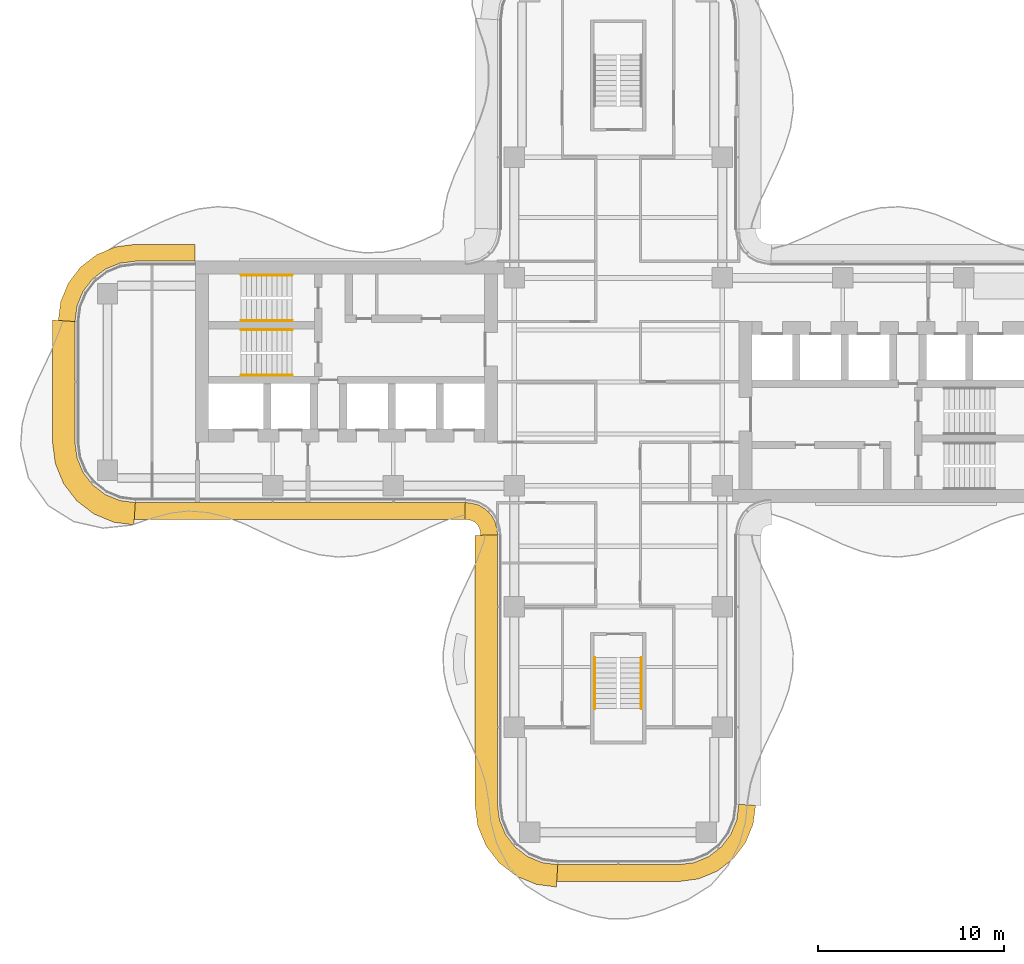
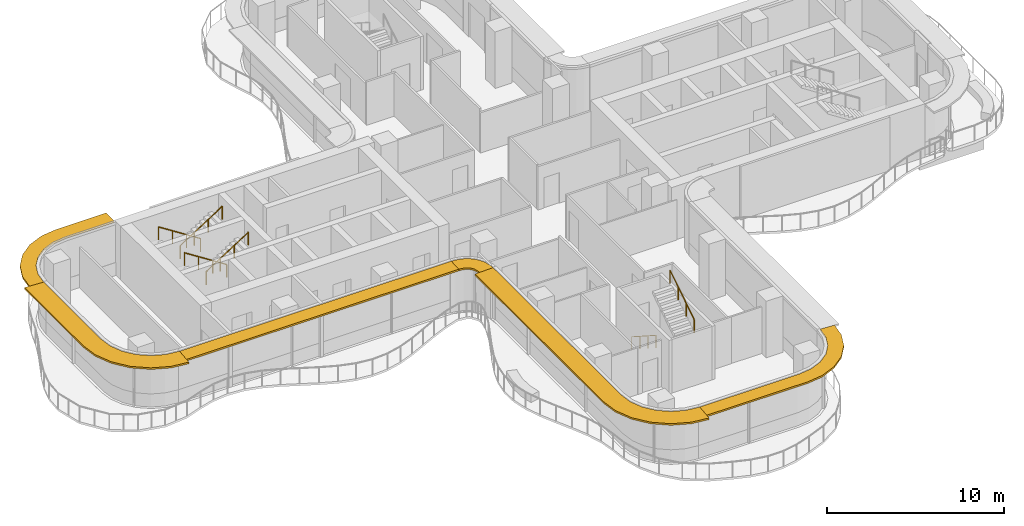
# One storey, part 16 of 17: 6 railings, 6 shading devices.
"""IFC4 building model written with IfcOpenShell, lengths in metres."""

from ifc_helpers import new_model, si_unit, direction, frame, origin, origin_2d, place, context, subcontext, project, spatial, polyline, circle, outline, extrude, source, transform, mapped, material, layer, layer_set, type_object, element, save


model = new_model("IFC4")

# Units and contexts
model_context = context("Model", 3, precision=1e-05, world=origin(), true_north=direction((0.0, 1.0)))
body_context = subcontext(model_context, "Body", "Model", "MODEL_VIEW")
ifc_project = project(units=[si_unit("LENGTHUNIT", "METRE"), si_unit("AREAUNIT", "SQUARE_METRE"), si_unit("VOLUMEUNIT", "CUBIC_METRE"), si_unit("PLANEANGLEUNIT", "RADIAN"), si_unit("MASSUNIT", "GRAM", prefix="KILO")], contexts=[model_context])

# Site, building, storey
site_placement = place(None, origin())
site = spatial("IfcSite", under=ifc_project, at=site_placement, CompositionType="ELEMENT")
building_placement = place(site_placement, origin())
building = spatial("IfcBuilding", under=site, at=building_placement, Name="Trellis Farm Tower", CompositionType="ELEMENT")
storey_placement = place(building_placement, frame((0.0, 0.0, 220.699951171875)))
storey = spatial("IfcBuildingStorey", under=building, at=storey_placement, Name="L48", CompositionType="ELEMENT", Elevation=220.699951171875)

# Railings
ifc_material_1 = material(Name="Stainless steel", Category="steel")
railing_type = type_object("IfcRailingType", Name="STAIR HANDRAIL 900", PredefinedType="HANDRAIL", material=ifc_material_1)
shared_shape_1 = source(origin(), body_context, "Body", "SweptSolid", [
    extrude(circle(Radius=0.02392578125, at=origin_2d()), frame((0.0, 0.0, 0.8759765625), z_axis=(0.0, 0.840503830235, 0.541805602924), x_axis=(-1.0, 0.0, 0.0)), (0.0, 0.0, 1.0), 3.271728515625),
    extrude(circle(Radius=0.02099609375, at=origin_2d()), origin(), (0.0, 0.0, 1.0), 0.851806640625),
    extrude(circle(Radius=0.02099609375, at=origin_2d()), frame((0.0, 0.916748046875, 0.5908203125)), (0.0, 0.0, 1.0), 0.851806640625),
    extrude(circle(Radius=0.02099609375, at=origin_2d()), frame((0.0, 1.833251953125, 1.181884765625)), (0.0, 0.0, 1.0), 0.851806640625),
    extrude(circle(Radius=0.02099609375, at=origin_2d()), frame((0.0, 2.75, 1.772705078125)), (0.0, 0.0, 1.0), 0.851806640625),
])
railing_1_placement = place(storey_placement, frame((1.25, -17.60009765625, 2.12744140625)))
element("IfcRailing", 1, at=railing_1_placement, inside=storey, type_object=railing_type, Name="Stair handrail", PredefinedType="HANDRAIL", context=body_context, shape_type="MappedRepresentation", body=[
    mapped(shared_shape_1, transform((0.0, 0.0, 0.0))),
])
shared_shape_2 = source(origin(), body_context, "Body", "SweptSolid", [
    extrude(circle(Radius=0.02392578125, at=origin_2d()), frame((0.0, 0.0, 0.8759765625), z_axis=(0.0, -0.840503830235, 0.541805602924), x_axis=(1.0, 0.0, 0.0)), (0.0, 0.0, 1.0), 3.271728515625),
    extrude(circle(Radius=0.02099609375, at=origin_2d()), origin(), (0.0, 0.0, 1.0), 0.851806640625),
    extrude(circle(Radius=0.02099609375, at=origin_2d()), frame((0.0, -0.916748046875, 0.5908203125)), (0.0, 0.0, 1.0), 0.851806640625),
    extrude(circle(Radius=0.02099609375, at=origin_2d()), frame((0.0, -1.833251953125, 1.181884765625)), (0.0, 0.0, 1.0), 0.851806640625),
    extrude(circle(Radius=0.02099609375, at=origin_2d()), frame((0.0, -2.75, 1.772705078125)), (0.0, 0.0, 1.0), 0.851806640625),
])
railing_2_placement = place(storey_placement, frame((-1.25, -14.85009765625, 0.17724609375)))
element("IfcRailing", 2, at=railing_2_placement, inside=storey, type_object=railing_type, Name="Stair handrail", PredefinedType="HANDRAIL", context=body_context, shape_type="MappedRepresentation", body=[
    mapped(shared_shape_2, transform((0.0, 0.0, 0.0))),
])
shared_shape_3 = source(origin(), body_context, "Body", "SweptSolid", [
    extrude(circle(Radius=0.02392578125, at=origin_2d()), frame((0.0, 0.0, 0.8759765625), z_axis=(0.840503830235, 0.0, 0.541805602924), x_axis=(0.0, 1.0, 0.0)), (0.0, 0.0, 1.0), 3.271728515625),
    extrude(circle(Radius=0.02099609375, at=origin_2d()), origin(), (0.0, 0.0, 1.0), 0.851806640625),
    extrude(circle(Radius=0.02099609375, at=origin_2d()), frame((0.916748046875, 0.0, 0.5908203125)), (0.0, 0.0, 1.0), 0.851806640625),
    extrude(circle(Radius=0.02099609375, at=origin_2d()), frame((1.833251953125, 0.0, 1.181884765625)), (0.0, 0.0, 1.0), 0.851806640625),
    extrude(circle(Radius=0.02099609375, at=origin_2d()), frame((2.75, 0.0, 1.772705078125)), (0.0, 0.0, 1.0), 0.851806640625),
])
for number, where, name in (
    (3, (-20.300048828125, 3.300048828125, 2.12744140625), "Stair handrail"),
    (4, (-20.300048828125, 0.35009765625, 2.12744140625), "Stair handrail"),
):
    element("IfcRailing", number, at=place(storey_placement, frame(where)), inside=storey, type_object=railing_type, Name=name, PredefinedType="HANDRAIL", context=body_context, shape_type="MappedRepresentation", body=[
        mapped(shared_shape_3, transform((0.0, 0.0, 0.0))),
    ])
shared_shape_4 = source(origin(), body_context, "Body", "SweptSolid", [
    extrude(circle(Radius=0.02392578125, at=origin_2d()), frame((0.0, 0.0, 0.8759765625), z_axis=(-0.840503830235, 0.0, 0.541805602924), x_axis=(0.0, -1.0, 0.0)), (0.0, 0.0, 1.0), 3.271728515625),
    extrude(circle(Radius=0.02099609375, at=origin_2d()), origin(), (0.0, 0.0, 1.0), 0.851806640625),
    extrude(circle(Radius=0.02099609375, at=origin_2d()), frame((-0.916748046875, 0.0, 0.5908203125)), (0.0, 0.0, 1.0), 0.851806640625),
    extrude(circle(Radius=0.02099609375, at=origin_2d()), frame((-1.833251953125, 0.0, 1.181884765625)), (0.0, 0.0, 1.0), 0.851806640625),
    extrude(circle(Radius=0.02099609375, at=origin_2d()), frame((-2.75, 0.0, 1.772705078125)), (0.0, 0.0, 1.0), 0.851806640625),
])
for number, where, name in (
    (5, (-17.550048828125, 5.75, 0.17724609375), "Stair handrail"),
    (6, (-17.550048828125, 2.800048828125, 0.17724609375), "Stair handrail"),
):
    element("IfcRailing", number, at=place(storey_placement, frame(where)), inside=storey, type_object=railing_type, Name=name, PredefinedType="HANDRAIL", context=body_context, shape_type="MappedRepresentation", body=[
        mapped(shared_shape_4, transform((0.0, 0.0, 0.0))),
    ])

# Shading devices
ifc_material_2 = material(Name="Aluminium extrusion 6063-T6", Category="aluminium")
ifc_layer_1 = layer(ifc_material_2, 0.1201171875)
ifc_layer_set_1 = layer_set([ifc_layer_1], Name="SUNSHADE BLADE 900")
shading_device_type_1 = type_object("IfcShadingDeviceType", Name="SUNSHADE BLADE 900", PredefinedType="USERDEFINED", material=ifc_layer_set_1)
shared_shape_5 = source(origin(), body_context, "Body", "SweptSolid", [
    extrude(outline(polyline([(-8.2607421875, -7.39990234375), (-8.107666015625, -7.409912109375), (-8.091552734375, -7.412109375), (-7.85595703125, -7.475341796875), (-7.697021484375, -7.567138671875), (-7.567138671875, -7.697021484375), (-7.475341796875, -7.85595703125), (-7.412109375, -8.091552734375), (-7.409912109375, -8.107666015625), (-7.39990234375, -8.2607421875), (-6.5, -8.2314453125), (-6.513916015625, -8.01953125), (-6.527587890625, -7.91552734375), (-6.63671875, -7.508544921875), (-6.846923828125, -7.144287109375), (-7.144287109375, -6.846923828125), (-7.508544921875, -6.63671875), (-7.91552734375, -6.527587890625), (-8.01953125, -6.513916015625), (-8.2314453125, -6.5), (-8.2607421875, -7.39990234375)])), origin(), (0.0, 0.0, 1.0), 0.1201171875),
])
placement = place(storey_placement, frame((0.0, 0.0, 3.5400390625)))
element("IfcShadingDevice", 7, at=placement, inside=storey, type_object=shading_device_type_1, Name="SD1 002", ObjectType="SUNSHADE", PredefinedType="USERDEFINED", context=body_context, shape_type="MappedRepresentation", body=[
    mapped(shared_shape_5, transform((0.0, 0.0, 0.0))),
])
ifc_layer_2 = layer(ifc_material_2, 0.1201171875)
ifc_layer_set_2 = layer_set([ifc_layer_2], Name="SUNSHADE BLADE 1200")
shading_device_type_2 = type_object("IfcShadingDeviceType", Name="SUNSHADE BLADE 1200", PredefinedType="USERDEFINED", material=ifc_layer_set_2)
shared_shape_6 = source(origin(), body_context, "Body", "SweptSolid", [
    extrude(outline(polyline([(-7.699951171875, -8.270751953125), (-7.699951171875, -22.82861328125), (-7.558349609375, -23.904541015625), (-7.11279296875, -24.980224609375), (-6.404052734375, -25.904052734375), (-5.480224609375, -26.61279296875), (-4.404541015625, -27.058349609375), (-3.32861328125, -27.199951171875), (-3.25, -26.0), (-4.091064453125, -25.88916015625), (-4.875, -25.564697265625), (-5.548095703125, -25.048095703125), (-6.064697265625, -24.375), (-6.38916015625, -23.591064453125), (-6.5, -22.75), (-6.5, -8.2314453125), (-7.699951171875, -8.270751953125)])), origin(), (0.0, 0.0, 1.0), 0.1201171875),
])
element("IfcShadingDevice", 8, at=placement, inside=storey, type_object=shading_device_type_2, Name="SD2 003", ObjectType="SUNSHADE", PredefinedType="USERDEFINED", context=body_context, shape_type="MappedRepresentation", body=[
    mapped(shared_shape_6, transform((0.0, 0.0, 0.0))),
])
shared_shape_7 = source(origin(), body_context, "Body", "SweptSolid", [
    extrude(outline(polyline([(-3.30908203125, -26.89990234375), (3.30908203125, -26.89990234375), (4.326171875, -26.76611328125), (5.328857421875, -26.350830078125), (6.18994140625, -25.68994140625), (6.850830078125, -24.828857421875), (7.26611328125, -23.826171875), (7.39990234375, -22.80908203125), (6.5, -22.75), (6.38916015625, -23.591064453125), (6.064697265625, -24.375), (5.548095703125, -25.048095703125), (4.875, -25.564697265625), (4.091064453125, -25.88916015625), (3.25, -26.0), (-3.25, -26.0), (-3.30908203125, -26.89990234375)])), origin(), (0.0, 0.0, 1.0), 0.1201171875),
])
element("IfcShadingDevice", 9, at=placement, inside=storey, type_object=shading_device_type_1, Name="SD1 004", ObjectType="SUNSHADE", PredefinedType="USERDEFINED", context=body_context, shape_type="MappedRepresentation", body=[
    mapped(shared_shape_7, transform((0.0, 0.0, 0.0))),
])
shared_shape_8 = source(origin(), body_context, "Body", "SweptSolid", [
    extrude(outline(polyline([(-26.05908203125, -7.39990234375), (-8.2607421875, -7.39990234375), (-8.2314453125, -6.5), (-26.0, -6.5), (-26.05908203125, -7.39990234375)])), origin(), (0.0, 0.0, 1.0), 0.1201171875),
])
element("IfcShadingDevice", 10, at=placement, inside=storey, type_object=shading_device_type_1, Name="SD1 001", ObjectType="SUNSHADE", PredefinedType="USERDEFINED", context=body_context, shape_type="MappedRepresentation", body=[
    mapped(shared_shape_8, transform((0.0, 0.0, 0.0))),
])
shared_shape_9 = source(origin(), body_context, "Body", "SweptSolid", [
    extrude(outline(polyline([(-22.780029296875, 7.39990234375), (-26.05908203125, 7.39990234375), (-27.076171875, 7.26611328125), (-28.078857421875, 6.850830078125), (-28.93994140625, 6.18994140625), (-29.600830078125, 5.328857421875), (-30.01611328125, 4.326171875), (-30.14990234375, 3.30908203125), (-29.25, 3.25), (-29.13916015625, 4.091064453125), (-28.814697265625, 4.875), (-28.298095703125, 5.548095703125), (-27.625, 6.064697265625), (-26.841064453125, 6.38916015625), (-26.0, 6.5), (-22.780029296875, 6.5), (-22.780029296875, 7.39990234375)])), origin(), (0.0, 0.0, 1.0), 0.1201171875),
])
element("IfcShadingDevice", 11, at=placement, inside=storey, type_object=shading_device_type_1, Name="SD1 015", ObjectType="SUNSHADE", PredefinedType="USERDEFINED", context=body_context, shape_type="MappedRepresentation", body=[
    mapped(shared_shape_9, transform((0.0, 0.0, 0.0))),
])
shared_shape_10 = source(origin(), body_context, "Body", "SweptSolid", [
    extrude(outline(polyline([(-30.449951171875, 3.32861328125), (-30.449951171875, -3.32861328125), (-30.308349609375, -4.404541015625), (-29.86279296875, -5.480224609375), (-29.154052734375, -6.404052734375), (-28.230224609375, -7.11279296875), (-27.154541015625, -7.558349609375), (-26.07861328125, -7.699951171875), (-26.0, -6.5), (-26.841064453125, -6.38916015625), (-27.625, -6.064697265625), (-28.298095703125, -5.548095703125), (-28.814697265625, -4.875), (-29.13916015625, -4.091064453125), (-29.25, -3.25), (-29.25, 3.25), (-30.449951171875, 3.32861328125)])), origin(), (0.0, 0.0, 1.0), 0.1201171875),
])
element("IfcShadingDevice", 12, at=placement, inside=storey, type_object=shading_device_type_2, Name="SD2 016", ObjectType="SUNSHADE", PredefinedType="USERDEFINED", context=body_context, shape_type="MappedRepresentation", body=[
    mapped(shared_shape_10, transform((0.0, 0.0, 0.0))),
])

save(model, "model.ifc")
